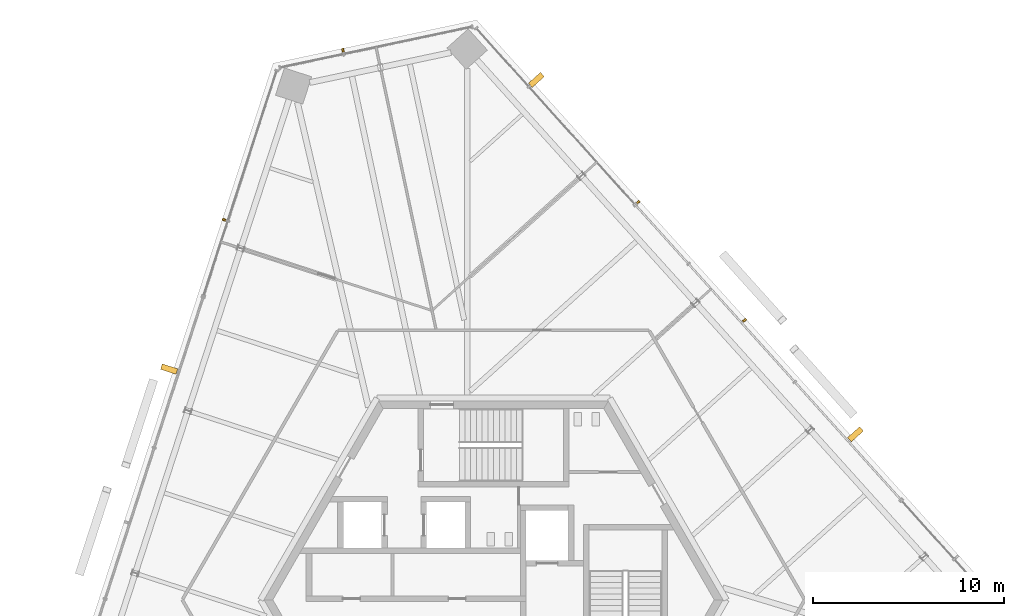
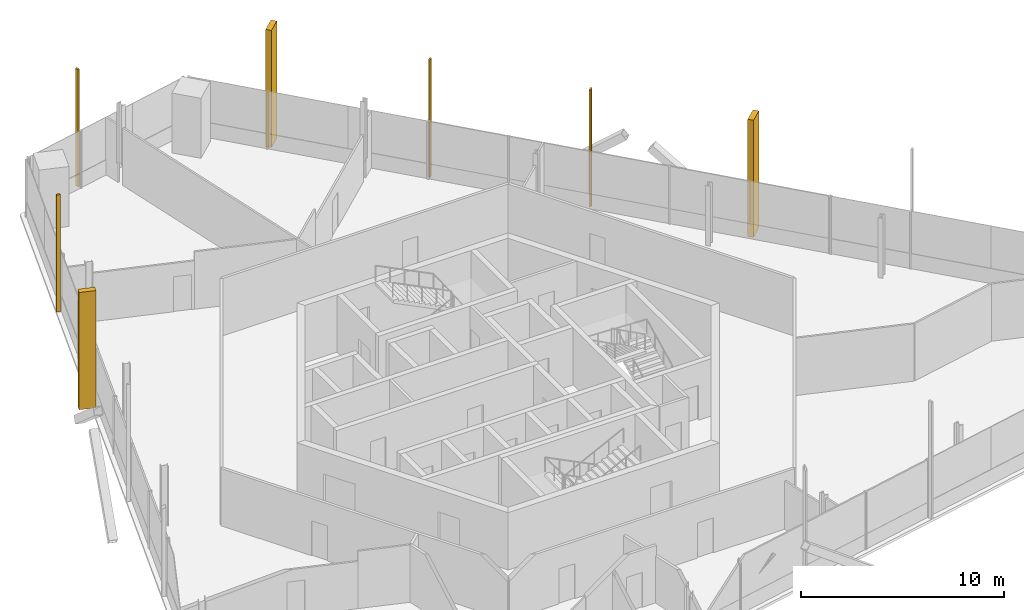
# One storey, part 16 of 17: 7 shading devices.
"""IFC4 building model written with IfcOpenShell, lengths in metres."""

from ifc_helpers import new_model, si_unit, direction, frame, origin, origin_2d, place, context, subcontext, project, spatial, rectangle, extrude, source, transform, mapped, material, element, save


model = new_model("IFC4")

# Units and contexts
model_context = context("Model", 3, precision=1e-05, world=origin(), true_north=direction((0.0, 1.0)))
body_context = subcontext(model_context, "Body", "Model", "MODEL_VIEW")
ifc_project = project(units=[si_unit("LENGTHUNIT", "METRE"), si_unit("AREAUNIT", "SQUARE_METRE"), si_unit("VOLUMEUNIT", "CUBIC_METRE"), si_unit("PLANEANGLEUNIT", "RADIAN"), si_unit("MASSUNIT", "GRAM", prefix="KILO")], contexts=[model_context])

# Site, building, storey
site_placement = place(None, origin())
site = spatial("IfcSite", under=ifc_project, at=site_placement, CompositionType="ELEMENT")
building_placement = place(site_placement, origin())
building = spatial("IfcBuilding", under=site, at=building_placement, Name="Triune Harvest Tower", CompositionType="ELEMENT")
storey_placement = place(building_placement, frame((0.0, 0.0, 273.89990234375)))
storey = spatial("IfcBuildingStorey", under=building, at=storey_placement, Name="L72", CompositionType="ELEMENT", Elevation=273.89990234375)

# Shading devices
ifc_material = material(Name="Aluminium bronze anodised", Category="aluminium")
shared_shape_1 = source(origin(), body_context, "Body", "SweptSolid", [
    extrude(rectangle(XDim=0.10009765625, YDim=0.199951171875, at=origin_2d()), origin(), (0.0, 0.0, 1.0), 7.0400390625),
])
for number, where, z_axis, x_axis, name in (
    (1, (13.123291015625, 14.6123046875, 0.0), (0.0, 0.0, 1.0), (-0.669131447108, 0.743144068463, 0.0), "FN-1 fin B7-F1.7 L72"),
    (2, (7.561767578125, 20.788818359375, 0.0), (0.0, 0.0, 1.0), (-0.669131447108, 0.743144068463, 0.0), "FN-1 fin B7-F1.9 L72"),
    (3, (-7.87060546875, 28.728759765625, 0.0), (0.0, 0.0, 1.0), (-0.978149078297, -0.207904739307, 0.0), "FN-1 fin B7-F2.3 L72"),
    (4, (-14.079345703125, 19.868408203125, 0.0), (0.0, 0.0, 1.0), (-0.309016354995, -0.951056724042, 0.0), "FN-1 fin B7-F3.3 L72"),
):
    element("IfcShadingDevice", number, at=place(storey_placement, frame(where, z_axis=z_axis, x_axis=x_axis)), inside=storey, material=ifc_material, Name=name, ObjectType="FIN", PredefinedType="USERDEFINED", context=body_context, shape_type="MappedRepresentation", body=[
        mapped(shared_shape_1, transform((0.0, 0.0, 0.0), scale=1.0)),
    ])
shared_shape_2 = source(origin(), body_context, "Body", "SweptSolid", [
    extrude(rectangle(XDim=0.300048828125, YDim=0.85009765625, at=origin_2d()), origin(), (0.0, 0.0, 1.0), 7.0400390625),
])
for number, where, z_axis, x_axis, name in (
    (5, (18.92626953125, 8.653076171875, 0.0), (0.0, 0.0, 1.0), (-0.669131447108, 0.743144068463, 0.0), "FN-2 fin B7-F1.5 L72"),
    (6, (2.24169921875, 27.18310546875, 0.0), (0.0, 0.0, 1.0), (-0.669131447108, 0.743144068463, 0.0), "FN-2 fin B7-F1.11 L72"),
    (7, (-16.956787109375, 12.06396484375, 0.0), (0.0, 0.0, 1.0), (-0.309016354995, -0.951056724042, 0.0), "FN-2 fin B7-F3.5 L72"),
):
    element("IfcShadingDevice", number, at=place(storey_placement, frame(where, z_axis=z_axis, x_axis=x_axis)), inside=storey, material=ifc_material, Name=name, ObjectType="FIN", PredefinedType="USERDEFINED", context=body_context, shape_type="MappedRepresentation", body=[
        mapped(shared_shape_2, transform((0.0, 0.0, 0.0), scale=1.0)),
    ])

save(model, "model.ifc")
